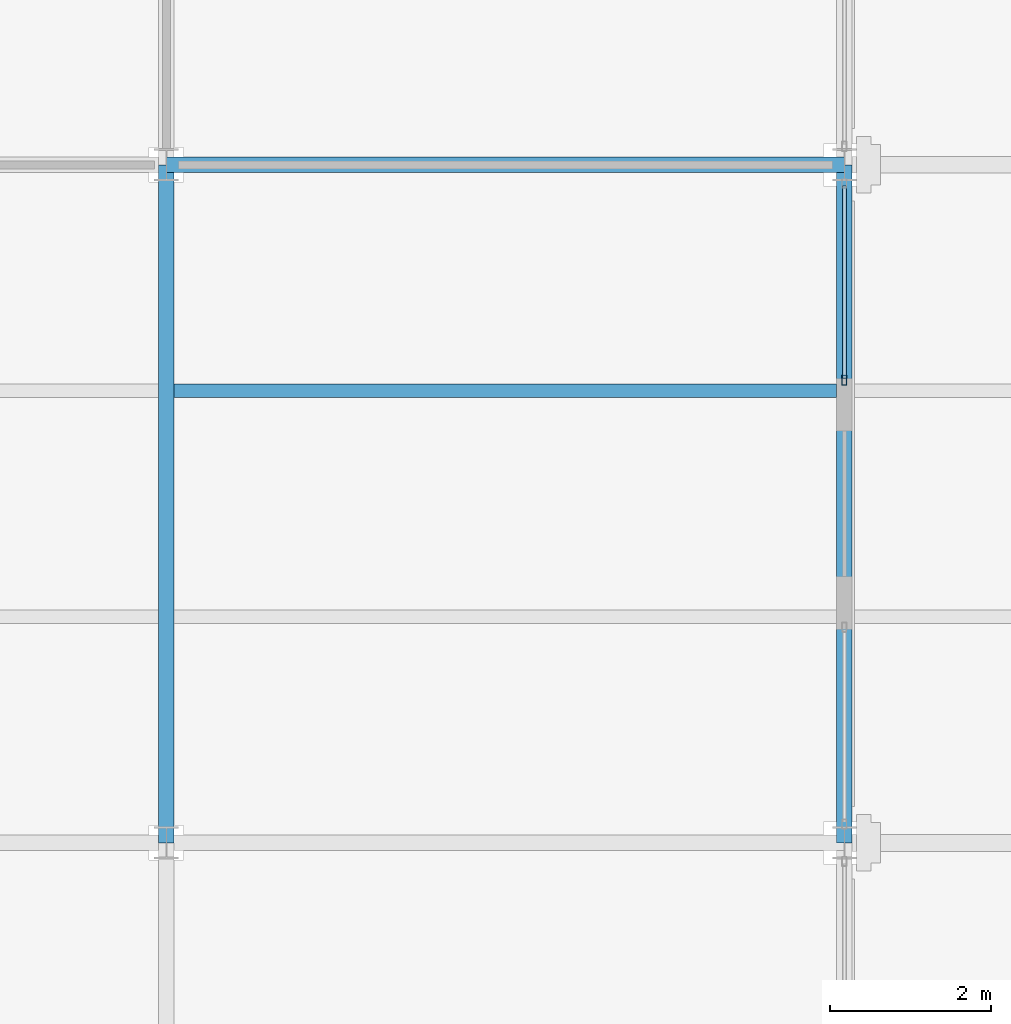
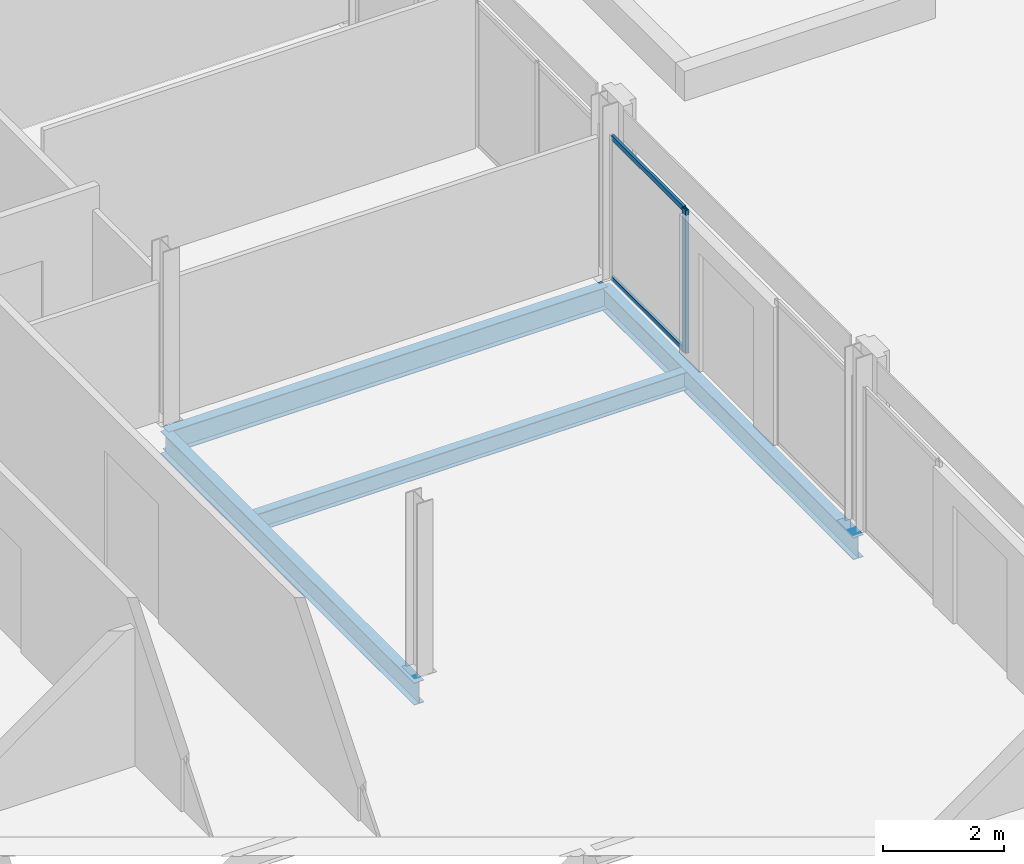
# One storey, part 17 of 32: 4 beams, 3 members, 1 element without a shape of its own.
"""IFC4 building model written with IfcOpenShell, lengths in metres."""

from ifc_helpers import new_model, si_unit, direction, frame, origin, origin_2d, place, context, subcontext, project, spatial, hollow_rectangle, i_section, extrude, material, material_profile, profile_set, type_object, element, aggregate, save


model = new_model("IFC4")

# Units and contexts
model_context = context("Model", 3, precision=1e-05, world=origin(), true_north=direction((0.0, 1.0)))
body_context = subcontext(model_context, "Body", "Model", "MODEL_VIEW")
ifc_project = project(units=[si_unit("LENGTHUNIT", "METRE"), si_unit("AREAUNIT", "SQUARE_METRE"), si_unit("VOLUMEUNIT", "CUBIC_METRE"), si_unit("PLANEANGLEUNIT", "RADIAN"), si_unit("MASSUNIT", "GRAM", prefix="KILO")], contexts=[model_context])

# Site, building, storey
site_placement = place(None, origin())
site = spatial("IfcSite", under=ifc_project, at=site_placement, CompositionType="ELEMENT")
building_placement = place(site_placement, origin())
building = spatial("IfcBuilding", under=site, at=building_placement, Name="Catenary Quay Ferry Terminal", CompositionType="ELEMENT")
storey_placement = place(building_placement, frame((0.0, 0.0, 17.10009765625)))
storey = spatial("IfcBuildingStorey", under=building, at=storey_placement, Name="L03", CompositionType="ELEMENT", Elevation=17.10009765625)

# Beams
ifc_material_1 = material(Name="Steel S355", Category="steel")
ifc_material_profile_1 = material_profile(ifc_material_1, i_section(OverallWidth=0.18994140625, OverallDepth=0.453369140625, WebThickness=0.008544921875, FlangeThickness=0.0126953125, at=origin_2d()), Name="UB 457x191x67")
ifc_profile_set_1 = profile_set([ifc_material_profile_1], Name="Steel S355")
beam_type_1 = type_object("IfcBeamType", Name="B1 UB 457x191x67", PredefinedType="BEAM", material=ifc_profile_set_1)
for number, where, z_axis, x_axis, name in (
    (1, (42.0, 193.199951171875, -0.47705078125), (1.0, 0.0, 0.0), (0.0, 1.0, 0.0), "Beam B1-009"),
    (2, (50.39990234375, 184.800048828125, -0.47705078125), (0.0, 1.0, 0.0), (-1.0, 0.0, 0.0), "Beam B1-019"),
    (3, (42.0, 184.800048828125, -0.47705078125), (0.0, 1.0, 0.0), (-1.0, 0.0, 0.0), "Beam B1-028"),
):
    element("IfcBeam", number, at=place(storey_placement, frame(where, z_axis=z_axis, x_axis=x_axis)), inside=storey, type_object=beam_type_1, Name=name, PredefinedType="BEAM", context=body_context, shape_type="SweptSolid", body=[
        extrude(i_section(OverallWidth=0.18994140625, OverallDepth=0.453369140625, WebThickness=0.008544921875, FlangeThickness=0.0126953125, at=origin_2d()), origin(), (0.0, 0.0, 1.0), 8.39990234375),
    ])
ifc_material_2 = material(Name="Steel S355", Category="steel")
ifc_material_profile_2 = material_profile(ifc_material_2, i_section(OverallWidth=0.169921875, OverallDepth=0.360107421875, WebThickness=0.008056640625, FlangeThickness=0.0126953125, at=origin_2d()), Name="IPE 360")
ifc_profile_set_2 = profile_set([ifc_material_profile_2], Name="Steel S355")
beam_type_2 = type_object("IfcBeamType", Name="B7 IPE 360", PredefinedType="BEAM", material=ifc_profile_set_2)
beam_placement = place(storey_placement, frame((42.094970703125, 190.39990234375, -0.43017578125), z_axis=(1.0, 0.0, 0.0), x_axis=(0.0, 1.0, 0.0)))
element("IfcBeam", 4, at=beam_placement, inside=storey, type_object=beam_type_2, Name="Beam B7-042", PredefinedType="BEAM", context=body_context, shape_type="SweptSolid", body=[
    extrude(i_section(OverallWidth=0.169921875, OverallDepth=0.360107421875, WebThickness=0.008056640625, FlangeThickness=0.0126953125, at=origin_2d()), origin(), (0.0, 0.0, 1.0), 8.2099609375),
])

# Curtain wall, members
ifc_material_3 = material(Name="Aluminium and glass", Category="aluminium")
curtain_wall_type = type_object("IfcCurtainWallType", Name="CWW3", PredefinedType="NOTDEFINED", material=ifc_material_3)
curtain_wall_placement = place(storey_placement, origin())
curtain_wall = element("IfcCurtainWall", 5, at=curtain_wall_placement, inside=storey, type_object=curtain_wall_type, Name="Wing curtain wall CW148", PredefinedType="NOTDEFINED")
ifc_material_4 = material(Name="Aluminium", Category="aluminium")
ifc_material_profile_3 = material_profile(ifc_material_4, hollow_rectangle(XDim=0.06005859375, YDim=0.1201171875, WallThickness=0.0048828125, at=origin_2d()), Name="MU4")
ifc_profile_set_3 = profile_set([ifc_material_profile_3], Name="Aluminium")
member_type_1 = type_object("IfcMemberType", Name="MU4", PredefinedType="MULLION", material=ifc_profile_set_3)
member_1_placement = place(storey_placement, frame((50.39990234375, 190.530029296875, 0.0), z_axis=(0.0, 0.0, 1.0), x_axis=(-1.0, 0.0, 0.0)))
member_1 = element("IfcMember", 6, at=member_1_placement, type_object=member_type_1, Name="CW148 mullion 1", PredefinedType="MULLION", context=body_context, shape_type="SweptSolid", body=[
    extrude(hollow_rectangle(XDim=0.06005859375, YDim=0.1201171875, WallThickness=0.0048828125, at=origin_2d()), origin(), (0.0, 0.0, 1.0), 2.89990234375),
])
ifc_material_5 = material(Name="Aluminium", Category="aluminium")
ifc_material_profile_4 = material_profile(ifc_material_5, hollow_rectangle(XDim=0.050048828125, YDim=0.10009765625, WallThickness=0.00390625, at=origin_2d()), Name="TR4")
ifc_profile_set_4 = profile_set([ifc_material_profile_4], Name="Aluminium")
member_type_2 = type_object("IfcMemberType", Name="TR4", PredefinedType="USERDEFINED", material=ifc_profile_set_4)
member_2_placement = place(storey_placement, frame((50.39990234375, 190.56005859375, 0.02490234375), z_axis=(0.0, 1.0, 0.0), x_axis=(-1.0, 0.0, 0.0)))
member_2 = element("IfcMember", 7, at=member_2_placement, type_object=member_type_2, Name="CW148 transom 1.1", ObjectType="TRANSOM", PredefinedType="USERDEFINED", context=body_context, shape_type="SweptSolid", body=[
    extrude(hollow_rectangle(XDim=0.050048828125, YDim=0.10009765625, WallThickness=0.00390625, at=origin_2d()), origin(), (0.0, 0.0, 1.0), 2.3798828125),
])
member_3_placement = place(storey_placement, frame((50.39990234375, 190.56005859375, 2.875), z_axis=(0.0, 1.0, 0.0), x_axis=(-1.0, 0.0, 0.0)))
member_3 = element("IfcMember", 8, at=member_3_placement, type_object=member_type_2, Name="CW148 transom 1.2", ObjectType="TRANSOM", PredefinedType="USERDEFINED", context=body_context, shape_type="SweptSolid", body=[
    extrude(hollow_rectangle(XDim=0.050048828125, YDim=0.10009765625, WallThickness=0.00390625, at=origin_2d()), origin(), (0.0, 0.0, 1.0), 2.3798828125),
])
aggregate(curtain_wall, [member_1, member_2, member_3])

save(model, "model.ifc")
